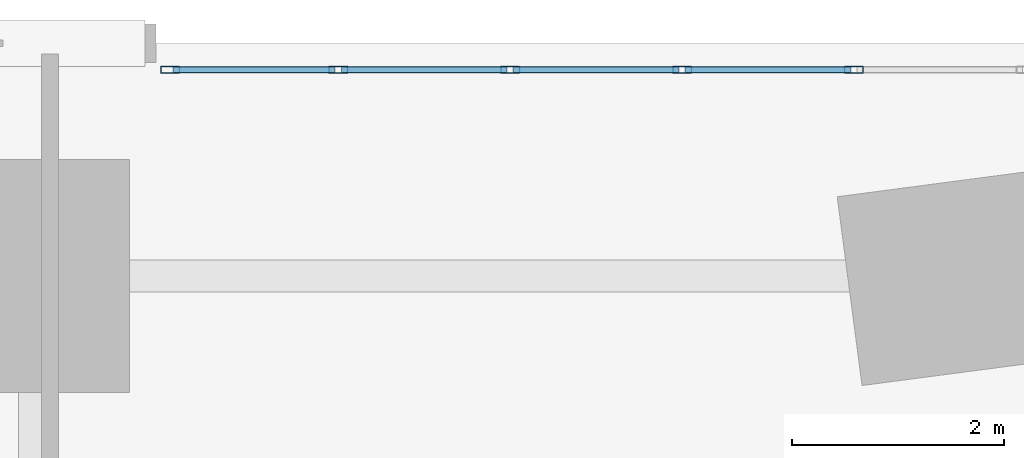
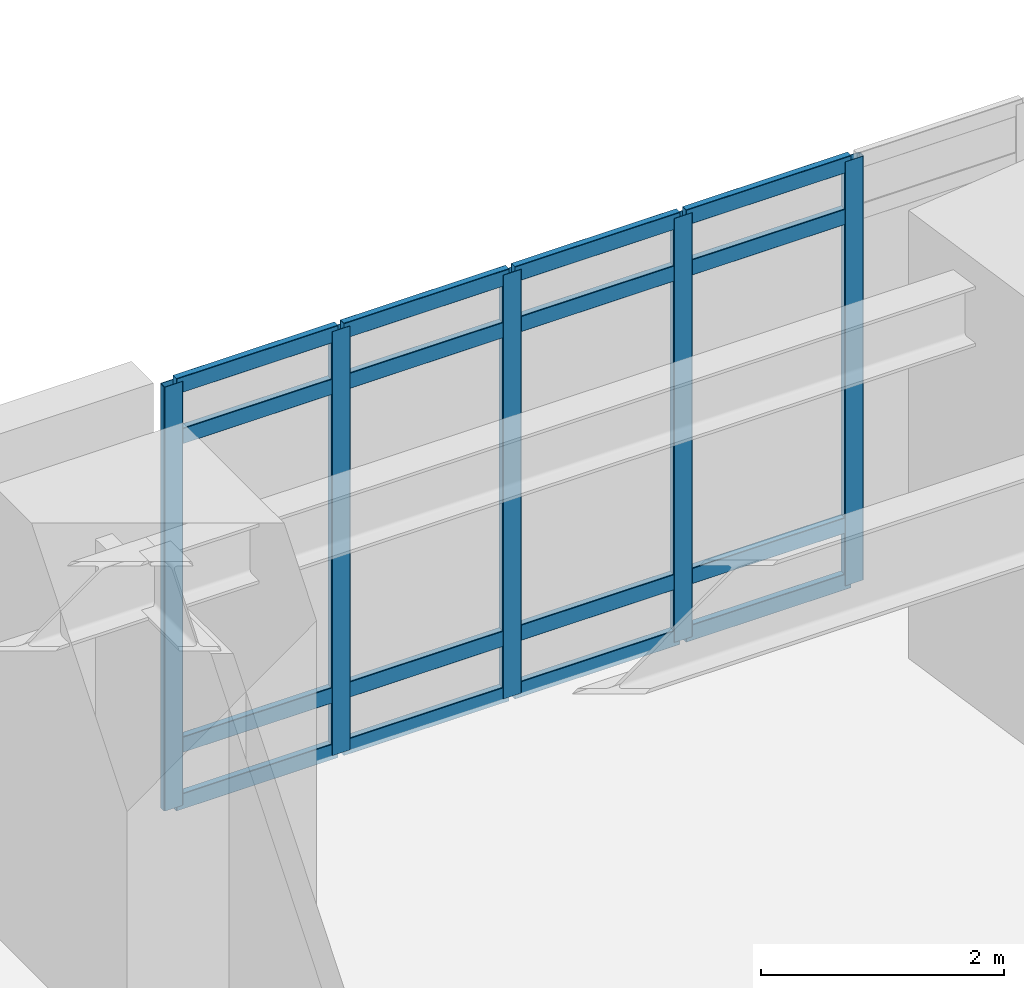
# One storey, part 8 of 20: 21 members, 1 element without a shape of its own.
"""IFC4 building model written with IfcOpenShell, lengths in metres."""

from ifc_helpers import new_model, si_unit, direction, frame, origin, origin_2d, place, context, subcontext, project, spatial, hollow_rectangle, extrude, material, layer, layer_set, material_profile, profile_set, type_object, element, aggregate, save


model = new_model("IFC4")

# Units and contexts
model_context = context("Model", 3, precision=1e-05, world=origin(), true_north=direction((0.0, 1.0)))
body_context = subcontext(model_context, "Body", "Model", "MODEL_VIEW")
ifc_project = project(units=[si_unit("LENGTHUNIT", "METRE"), si_unit("AREAUNIT", "SQUARE_METRE"), si_unit("VOLUMEUNIT", "CUBIC_METRE"), si_unit("PLANEANGLEUNIT", "RADIAN"), si_unit("MASSUNIT", "GRAM", prefix="KILO")], contexts=[model_context])

# Site, building, storey
site_placement = place(None, origin())
site = spatial("IfcSite", under=ifc_project, at=site_placement, CompositionType="ELEMENT")
building_placement = place(site_placement, origin())
building = spatial("IfcBuilding", under=site, at=building_placement, Name="Ndelora Gate Hotel", CompositionType="ELEMENT")
storey_placement = place(building_placement, frame((0.0, 0.0, 26.0)))
storey = spatial("IfcBuildingStorey", under=building, at=storey_placement, Name="L05", CompositionType="ELEMENT", Elevation=26.0)

# Curtain wall, members
ifc_material_1 = material(Name="Bronze Anodised Unitised Aluminium and Low-E Glass", Category="aluminium")
ifc_layer = layer(ifc_material_1, 0.219970703125)
ifc_layer_set = layer_set([ifc_layer], Name="Bronze Anodised Unitised Aluminium and Low-E Glass")
curtain_wall_type = type_object("IfcCurtainWallType", Name="CW-SYS-2", PredefinedType="NOTDEFINED", material=ifc_layer_set)
curtain_wall_placement = place(storey_placement, origin())
curtain_wall = element("IfcCurtainWall", 1, at=curtain_wall_placement, inside=storey, type_object=curtain_wall_type, Name="L05 North Banquet Pre-Function Curtain Wall CW2", PredefinedType="NOTDEFINED")
ifc_material_2 = material(Name="Bronze Anodised Aluminium 6063-T6", Category="aluminium")
ifc_material_profile_1 = material_profile(ifc_material_2, hollow_rectangle(XDim=0.070068359375, YDim=0.179931640625, WallThickness=0.0048828125, InnerFilletRadius=0.0048828125, OuterFilletRadius=0.010009765625, at=origin_2d()), Name="ALU 180x70x5")
ifc_profile_set_1 = profile_set([ifc_material_profile_1], Name="Bronze Anodised Aluminium 6063-T6")
member_type_1 = type_object("IfcMemberType", Name="MB-CW-MUL180", PredefinedType="MULLION", material=ifc_profile_set_1)
member_1_placement = place(storey_placement, frame((-3.25, 20.75, -0.00390625), z_axis=(0.0, 0.0, 1.0), x_axis=(0.0, -1.0, 0.0)))
member_1 = element("IfcMember", 2, at=member_1_placement, type_object=member_type_1, Name="CW2 mullion 9", PredefinedType="MULLION", context=body_context, shape_type="SweptSolid", body=[
    extrude(hollow_rectangle(XDim=0.070068359375, YDim=0.179931640625, WallThickness=0.0048828125, InnerFilletRadius=0.0048828125, OuterFilletRadius=0.010009765625, at=origin_2d()), origin(), (0.0, 0.0, 1.0), 4.2578125),
])
member_2_placement = place(storey_placement, frame((-4.875, 20.75, -0.00390625), z_axis=(0.0, 0.0, 1.0), x_axis=(0.0, -1.0, 0.0)))
member_2 = element("IfcMember", 3, at=member_2_placement, type_object=member_type_1, Name="CW2 mullion 10", PredefinedType="MULLION", context=body_context, shape_type="SweptSolid", body=[
    extrude(hollow_rectangle(XDim=0.070068359375, YDim=0.179931640625, WallThickness=0.0048828125, InnerFilletRadius=0.0048828125, OuterFilletRadius=0.010009765625, at=origin_2d()), origin(), (0.0, 0.0, 1.0), 4.2578125),
])
member_3_placement = place(storey_placement, frame((-6.5, 20.75, -0.00390625), z_axis=(0.0, 0.0, 1.0), x_axis=(0.0, -1.0, 0.0)))
member_3 = element("IfcMember", 4, at=member_3_placement, type_object=member_type_1, Name="CW2 mullion 11", PredefinedType="MULLION", context=body_context, shape_type="SweptSolid", body=[
    extrude(hollow_rectangle(XDim=0.070068359375, YDim=0.179931640625, WallThickness=0.0048828125, InnerFilletRadius=0.0048828125, OuterFilletRadius=0.010009765625, at=origin_2d()), origin(), (0.0, 0.0, 1.0), 4.2578125),
])
member_4_placement = place(storey_placement, frame((-8.125, 20.75, -0.00390625), z_axis=(0.0, 0.0, 1.0), x_axis=(0.0, -1.0, 0.0)))
member_4 = element("IfcMember", 5, at=member_4_placement, type_object=member_type_1, Name="CW2 mullion 12", PredefinedType="MULLION", context=body_context, shape_type="SweptSolid", body=[
    extrude(hollow_rectangle(XDim=0.070068359375, YDim=0.179931640625, WallThickness=0.0048828125, InnerFilletRadius=0.0048828125, OuterFilletRadius=0.010009765625, at=origin_2d()), origin(), (0.0, 0.0, 1.0), 4.2578125),
])
member_5_placement = place(storey_placement, frame((-9.715087890625, 20.75, -0.00390625), z_axis=(0.0, 0.0, 1.0), x_axis=(0.0, -1.0, 0.0)))
member_5 = element("IfcMember", 6, at=member_5_placement, type_object=member_type_1, Name="CW2 mullion 13", PredefinedType="MULLION", context=body_context, shape_type="SweptSolid", body=[
    extrude(hollow_rectangle(XDim=0.070068359375, YDim=0.179931640625, WallThickness=0.0048828125, InnerFilletRadius=0.0048828125, OuterFilletRadius=0.010009765625, at=origin_2d()), origin(), (0.0, 0.0, 1.0), 4.2578125),
])
ifc_material_profile_2 = material_profile(ifc_material_2, hollow_rectangle(XDim=0.06494140625, YDim=0.159912109375, WallThickness=0.00390625, InnerFilletRadius=0.00390625, OuterFilletRadius=0.008056640625, at=origin_2d()), Name="ALU 160x65x4")
ifc_profile_set_2 = profile_set([ifc_material_profile_2], Name="Bronze Anodised Aluminium 6063-T6")
member_type_2 = type_object("IfcMemberType", Name="MB-CW-TRN150", PredefinedType="USERDEFINED", material=ifc_profile_set_2)
member_6_placement = place(storey_placement, frame((-3.279052734375, 20.75, 0.032470703125), z_axis=(-1.0, 0.0, 0.0), x_axis=(0.0, -1.0, 0.0)))
member_6 = element("IfcMember", 7, at=member_6_placement, type_object=member_type_2, Name="CW2 transom 9.1", ObjectType="TRANSOM", PredefinedType="USERDEFINED", context=body_context, shape_type="SweptSolid", body=[
    extrude(hollow_rectangle(XDim=0.06494140625, YDim=0.159912109375, WallThickness=0.00390625, InnerFilletRadius=0.00390625, OuterFilletRadius=0.008056640625, at=origin_2d()), origin(), (0.0, 0.0, 1.0), 1.56689453125),
])
member_7_placement = place(storey_placement, frame((-3.279052734375, 20.75, 0.60009765625), z_axis=(-1.0, 0.0, 0.0), x_axis=(0.0, -1.0, 0.0)))
member_7 = element("IfcMember", 8, at=member_7_placement, type_object=member_type_2, Name="CW2 transom 9.2", ObjectType="TRANSOM", PredefinedType="USERDEFINED", context=body_context, shape_type="SweptSolid", body=[
    extrude(hollow_rectangle(XDim=0.06494140625, YDim=0.159912109375, WallThickness=0.00390625, InnerFilletRadius=0.00390625, OuterFilletRadius=0.008056640625, at=origin_2d()), origin(), (0.0, 0.0, 1.0), 1.56689453125),
])
member_8_placement = place(storey_placement, frame((-3.279052734375, 20.75, 3.699951171875), z_axis=(-1.0, 0.0, 0.0), x_axis=(0.0, -1.0, 0.0)))
member_8 = element("IfcMember", 9, at=member_8_placement, type_object=member_type_2, Name="CW2 transom 9.3", ObjectType="TRANSOM", PredefinedType="USERDEFINED", context=body_context, shape_type="SweptSolid", body=[
    extrude(hollow_rectangle(XDim=0.06494140625, YDim=0.159912109375, WallThickness=0.00390625, InnerFilletRadius=0.00390625, OuterFilletRadius=0.008056640625, at=origin_2d()), origin(), (0.0, 0.0, 1.0), 1.56689453125),
])
member_9_placement = place(storey_placement, frame((-3.279052734375, 20.75, 4.217529296875), z_axis=(-1.0, 0.0, 0.0), x_axis=(0.0, -1.0, 0.0)))
member_9 = element("IfcMember", 10, at=member_9_placement, type_object=member_type_2, Name="CW2 transom 9.4", ObjectType="TRANSOM", PredefinedType="USERDEFINED", context=body_context, shape_type="SweptSolid", body=[
    extrude(hollow_rectangle(XDim=0.06494140625, YDim=0.159912109375, WallThickness=0.00390625, InnerFilletRadius=0.00390625, OuterFilletRadius=0.008056640625, at=origin_2d()), origin(), (0.0, 0.0, 1.0), 1.56689453125),
])
member_10_placement = place(storey_placement, frame((-4.904052734375, 20.75, 0.032470703125), z_axis=(-1.0, 0.0, 0.0), x_axis=(0.0, -1.0, 0.0)))
member_10 = element("IfcMember", 11, at=member_10_placement, type_object=member_type_2, Name="CW2 transom 10.1", ObjectType="TRANSOM", PredefinedType="USERDEFINED", context=body_context, shape_type="SweptSolid", body=[
    extrude(hollow_rectangle(XDim=0.06494140625, YDim=0.159912109375, WallThickness=0.00390625, InnerFilletRadius=0.00390625, OuterFilletRadius=0.008056640625, at=origin_2d()), origin(), (0.0, 0.0, 1.0), 1.56689453125),
])
member_11_placement = place(storey_placement, frame((-4.904052734375, 20.75, 0.60009765625), z_axis=(-1.0, 0.0, 0.0), x_axis=(0.0, -1.0, 0.0)))
member_11 = element("IfcMember", 12, at=member_11_placement, type_object=member_type_2, Name="CW2 transom 10.2", ObjectType="TRANSOM", PredefinedType="USERDEFINED", context=body_context, shape_type="SweptSolid", body=[
    extrude(hollow_rectangle(XDim=0.06494140625, YDim=0.159912109375, WallThickness=0.00390625, InnerFilletRadius=0.00390625, OuterFilletRadius=0.008056640625, at=origin_2d()), origin(), (0.0, 0.0, 1.0), 1.56689453125),
])
member_12_placement = place(storey_placement, frame((-4.904052734375, 20.75, 3.699951171875), z_axis=(-1.0, 0.0, 0.0), x_axis=(0.0, -1.0, 0.0)))
member_12 = element("IfcMember", 13, at=member_12_placement, type_object=member_type_2, Name="CW2 transom 10.3", ObjectType="TRANSOM", PredefinedType="USERDEFINED", context=body_context, shape_type="SweptSolid", body=[
    extrude(hollow_rectangle(XDim=0.06494140625, YDim=0.159912109375, WallThickness=0.00390625, InnerFilletRadius=0.00390625, OuterFilletRadius=0.008056640625, at=origin_2d()), origin(), (0.0, 0.0, 1.0), 1.56689453125),
])
member_13_placement = place(storey_placement, frame((-4.904052734375, 20.75, 4.217529296875), z_axis=(-1.0, 0.0, 0.0), x_axis=(0.0, -1.0, 0.0)))
member_13 = element("IfcMember", 14, at=member_13_placement, type_object=member_type_2, Name="CW2 transom 10.4", ObjectType="TRANSOM", PredefinedType="USERDEFINED", context=body_context, shape_type="SweptSolid", body=[
    extrude(hollow_rectangle(XDim=0.06494140625, YDim=0.159912109375, WallThickness=0.00390625, InnerFilletRadius=0.00390625, OuterFilletRadius=0.008056640625, at=origin_2d()), origin(), (0.0, 0.0, 1.0), 1.56689453125),
])
member_14_placement = place(storey_placement, frame((-6.529052734375, 20.75, 0.032470703125), z_axis=(-1.0, 0.0, 0.0), x_axis=(0.0, -1.0, 0.0)))
member_14 = element("IfcMember", 15, at=member_14_placement, type_object=member_type_2, Name="CW2 transom 11.1", ObjectType="TRANSOM", PredefinedType="USERDEFINED", context=body_context, shape_type="SweptSolid", body=[
    extrude(hollow_rectangle(XDim=0.06494140625, YDim=0.159912109375, WallThickness=0.00390625, InnerFilletRadius=0.00390625, OuterFilletRadius=0.008056640625, at=origin_2d()), origin(), (0.0, 0.0, 1.0), 1.56689453125),
])
member_15_placement = place(storey_placement, frame((-6.529052734375, 20.75, 0.60009765625), z_axis=(-1.0, 0.0, 0.0), x_axis=(0.0, -1.0, 0.0)))
member_15 = element("IfcMember", 16, at=member_15_placement, type_object=member_type_2, Name="CW2 transom 11.2", ObjectType="TRANSOM", PredefinedType="USERDEFINED", context=body_context, shape_type="SweptSolid", body=[
    extrude(hollow_rectangle(XDim=0.06494140625, YDim=0.159912109375, WallThickness=0.00390625, InnerFilletRadius=0.00390625, OuterFilletRadius=0.008056640625, at=origin_2d()), origin(), (0.0, 0.0, 1.0), 1.56689453125),
])
member_16_placement = place(storey_placement, frame((-6.529052734375, 20.75, 3.699951171875), z_axis=(-1.0, 0.0, 0.0), x_axis=(0.0, -1.0, 0.0)))
member_16 = element("IfcMember", 17, at=member_16_placement, type_object=member_type_2, Name="CW2 transom 11.3", ObjectType="TRANSOM", PredefinedType="USERDEFINED", context=body_context, shape_type="SweptSolid", body=[
    extrude(hollow_rectangle(XDim=0.06494140625, YDim=0.159912109375, WallThickness=0.00390625, InnerFilletRadius=0.00390625, OuterFilletRadius=0.008056640625, at=origin_2d()), origin(), (0.0, 0.0, 1.0), 1.56689453125),
])
member_17_placement = place(storey_placement, frame((-6.529052734375, 20.75, 4.217529296875), z_axis=(-1.0, 0.0, 0.0), x_axis=(0.0, -1.0, 0.0)))
member_17 = element("IfcMember", 18, at=member_17_placement, type_object=member_type_2, Name="CW2 transom 11.4", ObjectType="TRANSOM", PredefinedType="USERDEFINED", context=body_context, shape_type="SweptSolid", body=[
    extrude(hollow_rectangle(XDim=0.06494140625, YDim=0.159912109375, WallThickness=0.00390625, InnerFilletRadius=0.00390625, OuterFilletRadius=0.008056640625, at=origin_2d()), origin(), (0.0, 0.0, 1.0), 1.56689453125),
])
member_18_placement = place(storey_placement, frame((-8.154052734375, 20.75, 0.032470703125), z_axis=(-1.0, 0.0, 0.0), x_axis=(0.0, -1.0, 0.0)))
member_18 = element("IfcMember", 19, at=member_18_placement, type_object=member_type_2, Name="CW2 transom 12.1", ObjectType="TRANSOM", PredefinedType="USERDEFINED", context=body_context, shape_type="SweptSolid", body=[
    extrude(hollow_rectangle(XDim=0.06494140625, YDim=0.159912109375, WallThickness=0.00390625, InnerFilletRadius=0.00390625, OuterFilletRadius=0.008056640625, at=origin_2d()), origin(), (0.0, 0.0, 1.0), 1.531982421875),
])
member_19_placement = place(storey_placement, frame((-8.154052734375, 20.75, 0.60009765625), z_axis=(-1.0, 0.0, 0.0), x_axis=(0.0, -1.0, 0.0)))
member_19 = element("IfcMember", 20, at=member_19_placement, type_object=member_type_2, Name="CW2 transom 12.2", ObjectType="TRANSOM", PredefinedType="USERDEFINED", context=body_context, shape_type="SweptSolid", body=[
    extrude(hollow_rectangle(XDim=0.06494140625, YDim=0.159912109375, WallThickness=0.00390625, InnerFilletRadius=0.00390625, OuterFilletRadius=0.008056640625, at=origin_2d()), origin(), (0.0, 0.0, 1.0), 1.531982421875),
])
member_20_placement = place(storey_placement, frame((-8.154052734375, 20.75, 3.699951171875), z_axis=(-1.0, 0.0, 0.0), x_axis=(0.0, -1.0, 0.0)))
member_20 = element("IfcMember", 21, at=member_20_placement, type_object=member_type_2, Name="CW2 transom 12.3", ObjectType="TRANSOM", PredefinedType="USERDEFINED", context=body_context, shape_type="SweptSolid", body=[
    extrude(hollow_rectangle(XDim=0.06494140625, YDim=0.159912109375, WallThickness=0.00390625, InnerFilletRadius=0.00390625, OuterFilletRadius=0.008056640625, at=origin_2d()), origin(), (0.0, 0.0, 1.0), 1.531982421875),
])
member_21_placement = place(storey_placement, frame((-8.154052734375, 20.75, 4.217529296875), z_axis=(-1.0, 0.0, 0.0), x_axis=(0.0, -1.0, 0.0)))
member_21 = element("IfcMember", 22, at=member_21_placement, type_object=member_type_2, Name="CW2 transom 12.4", ObjectType="TRANSOM", PredefinedType="USERDEFINED", context=body_context, shape_type="SweptSolid", body=[
    extrude(hollow_rectangle(XDim=0.06494140625, YDim=0.159912109375, WallThickness=0.00390625, InnerFilletRadius=0.00390625, OuterFilletRadius=0.008056640625, at=origin_2d()), origin(), (0.0, 0.0, 1.0), 1.531982421875),
])
aggregate(curtain_wall, [member_1, member_2, member_3, member_4, member_5, member_6, member_7, member_8, member_9, member_10, member_11, member_12, member_13, member_14, member_15, member_16, member_17, member_18, member_19, member_20, member_21])

save(model, "model.ifc")
